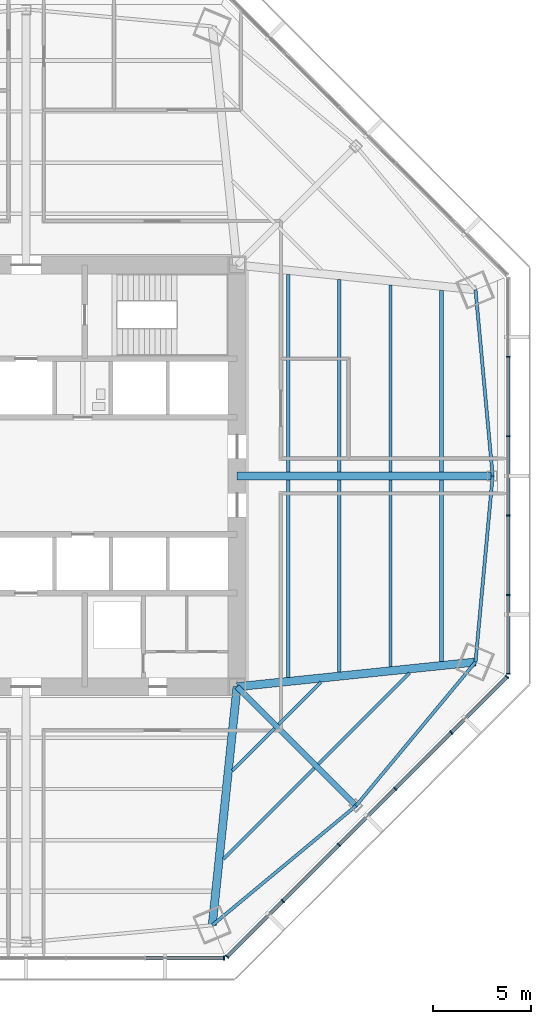
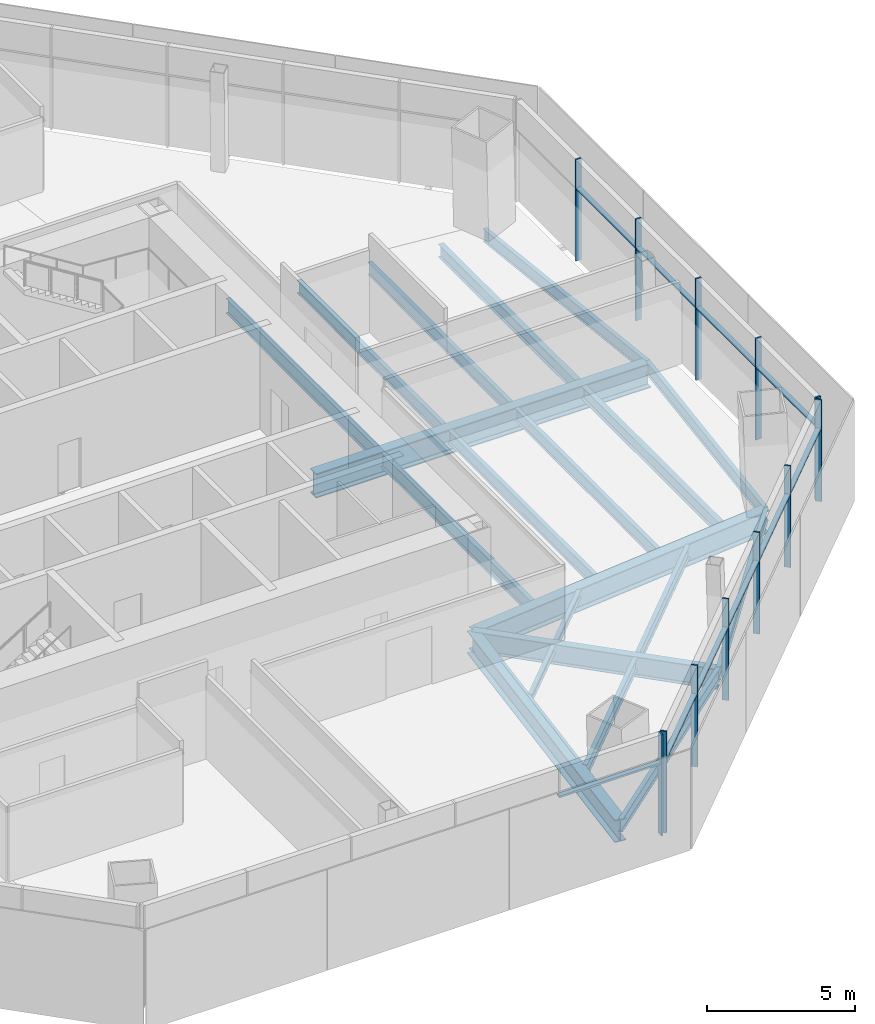
# One storey, part 4 of 14: 22 members, 20 beams, 3 elements without a shape of their own.
"""IFC4 building model written with IfcOpenShell, lengths in metres."""

from ifc_helpers import new_model, si_unit, direction, frame, origin, origin_2d, place, context, subcontext, project, spatial, rectangle, i_section, extrude, source, transform, mapped, material, material_profile, profile_set, type_object, type_shapes, element, aggregate, save


model = new_model("IFC4")

# Units and contexts
model_context = context("Model", 3, precision=1e-05, world=origin(), true_north=direction((0.0, 1.0)))
body_context = subcontext(model_context, "Body", "Model", "MODEL_VIEW")
ifc_project = project(units=[si_unit("LENGTHUNIT", "METRE"), si_unit("AREAUNIT", "SQUARE_METRE"), si_unit("VOLUMEUNIT", "CUBIC_METRE"), si_unit("PLANEANGLEUNIT", "RADIAN"), si_unit("MASSUNIT", "GRAM", prefix="KILO")], contexts=[model_context])

# Site, building, storey
site_placement = place(None, origin())
site = spatial("IfcSite", under=ifc_project, at=site_placement, CompositionType="ELEMENT")
building_placement = place(site_placement, origin())
building = spatial("IfcBuilding", under=site, at=building_placement, Name="Mashrafa Tower", CompositionType="ELEMENT")
storey_placement = place(building_placement, frame((0.0, 0.0, 117.60009765625)))
storey = spatial("IfcBuildingStorey", under=building, at=storey_placement, Name="L26", CompositionType="ELEMENT", Elevation=117.60009765625)

# Beams
ifc_material_1 = material(Name="Steel ASTM A992", Category="steel")
ifc_material_profile_1 = material_profile(ifc_material_1, i_section(OverallWidth=0.164794921875, OverallDepth=0.309814453125, WebThickness=0.005859375, FlangeThickness=0.009765625, FilletRadius=0.007568359375, at=origin_2d()), Name="W12X26")
ifc_profile_set_1 = profile_set([ifc_material_profile_1], Name="Steel ASTM A992")
beam_type_1 = type_object("IfcBeamType", Name="Beam W12X26", PredefinedType="BEAM", material=ifc_profile_set_1)
for number, where, z_axis, x_axis, name in (
    (1, (12.728271484375, -12.934814453125, -0.320068359375), (-0.707106781187, -0.707106781187, 0.0), (0.707106781187, -0.707106781187, 0.0), "Floor beam L26 035"),
    (2, (15.098388671875, -10.564697265625, -0.320068359375), (-0.707106781187, -0.707106781187, 0.0), (0.707106781187, -0.707106781187, 0.0), "Floor beam L26 041"),
):
    element("IfcBeam", number, at=place(storey_placement, frame(where, z_axis=z_axis, x_axis=x_axis)), inside=storey, type_object=beam_type_1, Name=name, PredefinedType="BEAM", context=body_context, shape_type="SweptSolid", body=[
        extrude(i_section(OverallWidth=0.164794921875, OverallDepth=0.309814453125, WebThickness=0.005859375, FlangeThickness=0.009765625, FilletRadius=0.007568359375, at=origin_2d()), origin(), (0.0, 0.0, 1.0), 3.059814453125),
    ])
ifc_material_2 = material(Name="Steel ASTM A992", Category="steel")
ifc_material_profile_2 = material_profile(ifc_material_2, i_section(OverallWidth=0.1650390625, OverallDepth=0.52587890625, WebThickness=0.0087890625, FlangeThickness=0.011474609375, FilletRadius=0.0126953125, at=origin_2d()), Name="W21X44")
ifc_profile_set_2 = profile_set([ifc_material_profile_2], Name="Steel ASTM A992")
beam_type_2 = type_object("IfcBeamType", Name="Beam W21X44", PredefinedType="BEAM", material=ifc_profile_set_2)
beam_1_placement = place(storey_placement, frame((14.759765625, -14.96630859375, -0.427978515625), z_axis=(-0.707106781187, -0.707106781187, 0.0), x_axis=(0.707106781187, -0.707106781187, 0.0)))
element("IfcBeam", 3, at=beam_1_placement, inside=storey, type_object=beam_type_2, Name="Floor beam L26 039", PredefinedType="BEAM", context=body_context, shape_type="SweptSolid", body=[
    extrude(i_section(OverallWidth=0.1650390625, OverallDepth=0.52587890625, WebThickness=0.0087890625, FlangeThickness=0.011474609375, FilletRadius=0.0126953125, at=origin_2d()), origin(), (0.0, 0.0, 1.0), 6.59765625),
])
for number, where, z_axis, x_axis, name in (
    (4, (16.037109375, -0.20068359375, -0.427978515625), (0.0, -1.0, 0.0), (1.0, 0.0, 0.0), "Floor beam L26 042"),
    (5, (16.037109375, 10.0458984375, -0.427978515625), (0.0, -1.0, 0.0), (1.0, 0.0, 0.0), "Floor beam L26 043"),
):
    element("IfcBeam", number, at=place(storey_placement, frame(where, z_axis=z_axis, x_axis=x_axis)), inside=storey, type_object=beam_type_2, Name=name, PredefinedType="BEAM", context=body_context, shape_type="SweptSolid", body=[
        extrude(i_section(OverallWidth=0.1650390625, OverallDepth=0.52587890625, WebThickness=0.0087890625, FlangeThickness=0.011474609375, FilletRadius=0.0126953125, at=origin_2d()), origin(), (0.0, 0.0, 1.0), 9.84521484375),
    ])
for number, where, z_axis, x_axis, name in (
    (6, (18.655517578125, -0.20068359375, -0.427978515625), (0.0, -1.0, 0.0), (1.0, 0.0, 0.0), "Floor beam L26 044"),
    (7, (18.655517578125, 9.7744140625, -0.427978515625), (0.0, -1.0, 0.0), (1.0, 0.0, 0.0), "Floor beam L26 045"),
):
    element("IfcBeam", number, at=place(storey_placement, frame(where, z_axis=z_axis, x_axis=x_axis)), inside=storey, type_object=beam_type_2, Name=name, PredefinedType="BEAM", context=body_context, shape_type="SweptSolid", body=[
        extrude(i_section(OverallWidth=0.1650390625, OverallDepth=0.52587890625, WebThickness=0.0087890625, FlangeThickness=0.011474609375, FilletRadius=0.0126953125, at=origin_2d()), origin(), (0.0, 0.0, 1.0), 9.57373046875),
    ])
beam_2_placement = place(storey_placement, frame((19.631591796875, -10.094482421875, -0.427978515625), z_axis=(-0.707106781187, -0.707106781187, 0.0), x_axis=(0.707106781187, -0.707106781187, 0.0)))
element("IfcBeam", 8, at=beam_2_placement, inside=storey, type_object=beam_type_2, Name="Floor beam L26 046", PredefinedType="BEAM", context=body_context, shape_type="SweptSolid", body=[
    extrude(i_section(OverallWidth=0.1650390625, OverallDepth=0.52587890625, WebThickness=0.0087890625, FlangeThickness=0.011474609375, FilletRadius=0.0126953125, at=origin_2d()), origin(), (0.0, 0.0, 1.0), 6.59765625),
])
for number, where, z_axis, x_axis, name in (
    (9, (9.532958984375, -23.014404296875, -0.427978515625), (0.769002504827, 0.639245764608, 0.0), (-0.639245764608, 0.769002504827, 0.0), "Spandrel beam L26 074"),
    (10, (16.894775390625, -16.894775390625, -0.427978515625), (0.639245764608, 0.769002504827, 0.0), (-0.769002504827, 0.639245764608, 0.0), "Spandrel beam L26 076"),
    (11, (23.014404296875, -9.532958984375, -0.427978515625), (0.091731356973, 0.995783790864, 0.0), (-0.995783790864, 0.091731356973, 0.0), "Spandrel beam L26 078"),
    (12, (23.892578125, 0.0, -0.427978515625), (-0.091731356973, 0.995783790864, 0.0), (-0.995783790864, -0.091731356973, 0.0), "Spandrel beam L26 080"),
):
    element("IfcBeam", number, at=place(storey_placement, frame(where, z_axis=z_axis, x_axis=x_axis)), inside=storey, type_object=beam_type_2, Name=name, PredefinedType="BEAM", context=body_context, shape_type="SweptSolid", body=[
        extrude(i_section(OverallWidth=0.1650390625, OverallDepth=0.52587890625, WebThickness=0.0087890625, FlangeThickness=0.011474609375, FilletRadius=0.0126953125, at=origin_2d()), origin(), (0.0, 0.0, 1.0), 9.5732421875),
    ])
ifc_material_3 = material(Name="Steel ASTM A992", Category="steel")
ifc_material_profile_3 = material_profile(ifc_material_3, i_section(OverallWidth=0.209228515625, OverallDepth=0.533447265625, WebThickness=0.01025390625, FlangeThickness=0.015625, FilletRadius=0.012939453125, at=origin_2d()), Name="W21X62")
ifc_profile_set_3 = profile_set([ifc_material_profile_3], Name="Steel ASTM A992")
beam_type_3 = type_object("IfcBeamType", Name="Beam W21X62", PredefinedType="BEAM", material=ifc_profile_set_3)
for number, where, z_axis, x_axis, name in (
    (13, (21.274169921875, -0.20068359375, -0.431884765625), (0.0, -1.0, 0.0), (1.0, 0.0, 0.0), "Floor beam L26 047"),
    (14, (21.274169921875, 9.502685546875, -0.431884765625), (0.0, -1.0, 0.0), (1.0, 0.0, 0.0), "Floor beam L26 048"),
):
    element("IfcBeam", number, at=place(storey_placement, frame(where, z_axis=z_axis, x_axis=x_axis)), inside=storey, type_object=beam_type_3, Name=name, PredefinedType="BEAM", context=body_context, shape_type="SweptSolid", body=[
        extrude(i_section(OverallWidth=0.209228515625, OverallDepth=0.533447265625, WebThickness=0.01025390625, FlangeThickness=0.015625, FilletRadius=0.012939453125, at=origin_2d()), origin(), (0.0, 0.0, 1.0), 9.302001953125),
    ])
ifc_material_4 = material(Name="Steel ASTM A992", Category="steel")
ifc_material_profile_4 = material_profile(ifc_material_4, i_section(OverallWidth=0.177978515625, OverallDepth=0.599365234375, WebThickness=0.010009765625, FlangeThickness=0.012939453125, FilletRadius=0.012939453125, at=origin_2d()), Name="W24X55")
ifc_profile_set_4 = profile_set([ifc_material_profile_4], Name="Steel ASTM A992")
beam_type_4 = type_object("IfcBeamType", Name="Beam W24X55", PredefinedType="BEAM", material=ifc_profile_set_4)
for number, where, z_axis, x_axis, name in (
    (15, (13.41845703125, -0.20068359375, -0.46484375), (0.0, -1.0, 0.0), (1.0, 0.0, 0.0), "Floor beam L26 037"),
    (16, (13.41845703125, 10.317626953125, -0.46484375), (0.0, -1.0, 0.0), (1.0, 0.0, 0.0), "Floor beam L26 038"),
):
    element("IfcBeam", number, at=place(storey_placement, frame(where, z_axis=z_axis, x_axis=x_axis)), inside=storey, type_object=beam_type_4, Name=name, PredefinedType="BEAM", context=body_context, shape_type="SweptSolid", body=[
        extrude(i_section(OverallWidth=0.177978515625, OverallDepth=0.599365234375, WebThickness=0.010009765625, FlangeThickness=0.012939453125, FilletRadius=0.012939453125, at=origin_2d()), origin(), (0.0, 0.0, 1.0), 10.116943359375),
    ])
ifc_material_5 = material(Name="Steel ASTM A992", Category="steel")
ifc_material_profile_5 = material_profile(ifc_material_5, i_section(OverallWidth=0.2919921875, OverallDepth=0.8408203125, WebThickness=0.0146484375, FlangeThickness=0.021728515625, FilletRadius=0.017333984375, at=origin_2d()), Name="W33X130")
ifc_profile_set_5 = profile_set([ifc_material_profile_5], Name="Steel ASTM A992")
beam_type_5 = type_object("IfcBeamType", Name="Beam W33X130", PredefinedType="BEAM", material=ifc_profile_set_5)
beam_3_placement = place(storey_placement, frame((10.800048828125, -10.800048828125, -0.58544921875), z_axis=(0.707106781187, -0.707106781187, 0.0), x_axis=(0.707106781187, 0.707106781187, 0.0)))
element("IfcBeam", 17, at=beam_3_placement, inside=storey, type_object=beam_type_5, Name="Radial girder L26 059", PredefinedType="BEAM", context=body_context, shape_type="SweptSolid", body=[
    extrude(i_section(OverallWidth=0.2919921875, OverallDepth=0.8408203125, WebThickness=0.0146484375, FlangeThickness=0.021728515625, FilletRadius=0.017333984375, at=origin_2d()), origin(), (0.0, 0.0, 1.0), 8.619140625),
])
ifc_material_6 = material(Name="Steel ASTM A992", Category="steel")
ifc_material_profile_6 = material_profile(ifc_material_6, i_section(OverallWidth=0.419189453125, OverallDepth=0.927001953125, WebThickness=0.019287109375, FlangeThickness=0.031982421875, FilletRadius=0.020263671875, at=origin_2d()), Name="W36X231")
ifc_profile_set_6 = profile_set([ifc_material_profile_6], Name="Steel ASTM A992")
beam_type_6 = type_object("IfcBeamType", Name="Beam W36X231", PredefinedType="BEAM", material=ifc_profile_set_6)
for number, where, z_axis, x_axis, name in (
    (18, (10.800048828125, -10.800048828125, -0.628662109375), (-0.103184034441, -0.994662281901, 0.0), (0.994662281901, -0.103184034441, 0.0), "Radial girder L26 058"),
    (19, (10.800048828125, -10.800048828125, -0.628662109375), (0.994662281901, 0.103184034441, 0.0), (-0.103184034441, 0.994662281901, 0.0), "Radial girder L26 060"),
):
    element("IfcBeam", number, at=place(storey_placement, frame(where, z_axis=z_axis, x_axis=x_axis)), inside=storey, type_object=beam_type_6, Name=name, PredefinedType="BEAM", context=body_context, shape_type="SweptSolid", body=[
        extrude(i_section(OverallWidth=0.419189453125, OverallDepth=0.927001953125, WebThickness=0.019287109375, FlangeThickness=0.031982421875, FilletRadius=0.020263671875, at=origin_2d()), origin(), (0.0, 0.0, 1.0), 12.27978515625),
    ])
ifc_material_7 = material(Name="Steel ASTM A992", Category="steel")
ifc_material_profile_7 = material_profile(ifc_material_7, i_section(OverallWidth=0.4013671875, OverallDepth=1.010986328125, WebThickness=0.023681640625, FlangeThickness=0.0419921875, FilletRadius=0.02001953125, at=origin_2d()), Name="W40X297")
ifc_profile_set_7 = profile_set([ifc_material_profile_7], Name="Steel ASTM A992")
beam_type_7 = type_object("IfcBeamType", Name="Beam W40X297", PredefinedType="BEAM", material=ifc_profile_set_7)
beam_4_placement = place(storey_placement, frame((10.800048828125, 0.0, -0.670654296875), z_axis=(1.0, 0.0, 0.0), x_axis=(0.0, 1.0, 0.0)))
element("IfcBeam", 20, at=beam_4_placement, inside=storey, type_object=beam_type_7, Name="Radial girder L26 061", PredefinedType="BEAM", context=body_context, shape_type="SweptSolid", body=[
    extrude(i_section(OverallWidth=0.4013671875, OverallDepth=1.010986328125, WebThickness=0.023681640625, FlangeThickness=0.0419921875, FilletRadius=0.02001953125, at=origin_2d()), origin(), (0.0, 0.0, 1.0), 13.092529296875),
])

# Curtain wall, members
ifc_material_8 = material(Name="Unitised aluminium curtain wall", Category="aluminium")
curtain_wall_type = type_object("IfcCurtainWallType", Name="Office curtain wall, zone 2 CW-B 225 deep", PredefinedType="NOTDEFINED", material=ifc_material_8)
curtain_wall_1_placement = place(storey_placement, origin())
curtain_wall_1 = element("IfcCurtainWall", 21, at=curtain_wall_1_placement, inside=storey, type_object=curtain_wall_type, Name="Office curtain wall, zone 2 L26 east", PredefinedType="NOTDEFINED")
ifc_material_9 = material(Name="Extruded aluminium mullion", Category="aluminium")
ifc_material_profile_8 = material_profile(ifc_material_9, rectangle(XDim=0.22509765625, YDim=0.06494140625, at=origin_2d()), Name="Mullion 65x225")
ifc_profile_set_8 = profile_set([ifc_material_profile_8], Name="Extruded aluminium mullion")
member_type_1 = type_object("IfcMemberType", Name="Mullion CW-B 65 x 225", PredefinedType="MULLION", material=ifc_profile_set_8)
shared_shape_1 = source(origin(), body_context, "Body", "SweptSolid", [
    extrude(rectangle(XDim=0.22509765625, YDim=0.06494140625, at=origin_2d()), origin(), (0.0, 0.0, 1.0), 4.199951171875),
])
type_shapes(member_type_1, [shared_shape_1])
member_1_placement = place(storey_placement, frame((24.68798828125, -10.136962890625, 0.0), z_axis=(0.0, 0.0, 1.0), x_axis=(-1.0, 0.0, 0.0)))
member_1 = element("IfcMember", 22, at=member_1_placement, type_object=member_type_1, Name="CW-B mullion 1", PredefinedType="MULLION", context=body_context, shape_type="MappedRepresentation", body=[
    mapped(shared_shape_1, transform((0.0, 0.0, 0.0))),
])
member_2_placement = place(storey_placement, frame((24.68798828125, -6.101806640625, 0.0), z_axis=(0.0, 0.0, 1.0), x_axis=(-1.0, 0.0, 0.0)))
member_2 = element("IfcMember", 23, at=member_2_placement, type_object=member_type_1, Name="CW-B mullion 2", PredefinedType="MULLION", context=body_context, shape_type="MappedRepresentation", body=[
    mapped(shared_shape_1, transform((0.0, 0.0, 0.0))),
])
member_3_placement = place(storey_placement, frame((24.68798828125, -2.033935546875, 0.0), z_axis=(0.0, 0.0, 1.0), x_axis=(-1.0, 0.0, 0.0)))
member_3 = element("IfcMember", 24, at=member_3_placement, type_object=member_type_1, Name="CW-B mullion 3", PredefinedType="MULLION", context=body_context, shape_type="MappedRepresentation", body=[
    mapped(shared_shape_1, transform((0.0, 0.0, 0.0))),
])
member_4_placement = place(storey_placement, frame((24.68798828125, 2.033935546875, 0.0), z_axis=(0.0, 0.0, 1.0), x_axis=(-1.0, 0.0, 0.0)))
member_4 = element("IfcMember", 25, at=member_4_placement, type_object=member_type_1, Name="CW-B mullion 4", PredefinedType="MULLION", context=body_context, shape_type="MappedRepresentation", body=[
    mapped(shared_shape_1, transform((0.0, 0.0, 0.0))),
])
member_5_placement = place(storey_placement, frame((24.68798828125, 6.101806640625, 0.0), z_axis=(0.0, 0.0, 1.0), x_axis=(-1.0, 0.0, 0.0)))
member_5 = element("IfcMember", 26, at=member_5_placement, type_object=member_type_1, Name="CW-B mullion 5", PredefinedType="MULLION", context=body_context, shape_type="MappedRepresentation", body=[
    mapped(shared_shape_1, transform((0.0, 0.0, 0.0))),
])

# Curtain wall, member
curtain_wall_2_placement = place(storey_placement, origin())
curtain_wall_2 = element("IfcCurtainWall", 27, at=curtain_wall_2_placement, inside=storey, type_object=curtain_wall_type, Name="Office curtain wall, zone 2 L26 south", PredefinedType="NOTDEFINED")
member_6_placement = place(storey_placement, frame((10.136962890625, -24.68798828125, 0.0), z_axis=(0.0, 0.0, 1.0), x_axis=(0.0, 1.0, 0.0)))
member_6 = element("IfcMember", 28, at=member_6_placement, type_object=member_type_1, Name="CW-B mullion 6", PredefinedType="MULLION", context=body_context, shape_type="MappedRepresentation", body=[
    mapped(shared_shape_1, transform((0.0, 0.0, 0.0))),
])

# Curtain wall, members
curtain_wall_3_placement = place(storey_placement, origin())
curtain_wall_3 = element("IfcCurtainWall", 29, at=curtain_wall_3_placement, inside=storey, type_object=curtain_wall_type, Name="Office curtain wall, zone 2 L26 south-east", PredefinedType="NOTDEFINED")
member_7_placement = place(storey_placement, frame((10.2890625, -24.625, 0.0), z_axis=(0.0, 0.0, 1.0), x_axis=(-0.707106781187, 0.707106781187, 0.0)))
member_7 = element("IfcMember", 30, at=member_7_placement, type_object=member_type_1, Name="CW-B mullion 1", PredefinedType="MULLION", context=body_context, shape_type="MappedRepresentation", body=[
    mapped(shared_shape_1, transform((0.0, 0.0, 0.0))),
])
member_8_placement = place(storey_placement, frame((13.142578125, -21.771484375, 0.0), z_axis=(0.0, 0.0, 1.0), x_axis=(-0.707106781187, 0.707106781187, 0.0)))
member_8 = element("IfcMember", 31, at=member_8_placement, type_object=member_type_1, Name="CW-B mullion 2", PredefinedType="MULLION", context=body_context, shape_type="MappedRepresentation", body=[
    mapped(shared_shape_1, transform((0.0, 0.0, 0.0))),
])
member_9_placement = place(storey_placement, frame((16.018798828125, -18.895263671875, 0.0), z_axis=(0.0, 0.0, 1.0), x_axis=(-0.707106781187, 0.707106781187, 0.0)))
member_9 = element("IfcMember", 32, at=member_9_placement, type_object=member_type_1, Name="CW-B mullion 3", PredefinedType="MULLION", context=body_context, shape_type="MappedRepresentation", body=[
    mapped(shared_shape_1, transform((0.0, 0.0, 0.0))),
])
member_10_placement = place(storey_placement, frame((18.895263671875, -16.018798828125, 0.0), z_axis=(0.0, 0.0, 1.0), x_axis=(-0.707106781187, 0.707106781187, 0.0)))
member_10 = element("IfcMember", 33, at=member_10_placement, type_object=member_type_1, Name="CW-B mullion 4", PredefinedType="MULLION", context=body_context, shape_type="MappedRepresentation", body=[
    mapped(shared_shape_1, transform((0.0, 0.0, 0.0))),
])
member_11_placement = place(storey_placement, frame((21.771484375, -13.142578125, 0.0), z_axis=(0.0, 0.0, 1.0), x_axis=(-0.707106781187, 0.707106781187, 0.0)))
member_11 = element("IfcMember", 34, at=member_11_placement, type_object=member_type_1, Name="CW-B mullion 5", PredefinedType="MULLION", context=body_context, shape_type="MappedRepresentation", body=[
    mapped(shared_shape_1, transform((0.0, 0.0, 0.0))),
])
member_12_placement = place(storey_placement, frame((24.625, -10.2890625, 0.0), z_axis=(0.0, 0.0, 1.0), x_axis=(-0.707106781187, 0.707106781187, 0.0)))
member_12 = element("IfcMember", 35, at=member_12_placement, type_object=member_type_1, Name="CW-B mullion 6", PredefinedType="MULLION", context=body_context, shape_type="MappedRepresentation", body=[
    mapped(shared_shape_1, transform((0.0, 0.0, 0.0))),
])

# Member
ifc_material_10 = material(Name="Extruded aluminium transom", Category="aluminium")
ifc_material_profile_9 = material_profile(ifc_material_10, rectangle(XDim=0.179931640625, YDim=0.080078125, at=origin_2d()), Name="Transom 80x180")
ifc_profile_set_9 = profile_set([ifc_material_profile_9], Name="Extruded aluminium transom")
member_type_2 = type_object("IfcMemberType", Name="Transom CW-B 80 x 180", PredefinedType="MULLION", material=ifc_profile_set_9)
shared_shape_2 = source(origin(), body_context, "Body", "SweptSolid", [
    extrude(rectangle(XDim=0.179931640625, YDim=0.080078125, at=origin_2d()), origin(), (0.0, 0.0, 1.0), 3.97021484375),
])
member_13_placement = place(storey_placement, frame((24.68798828125, -10.1044921875, 3.0), z_axis=(0.0, 1.0, 0.0), x_axis=(-1.0, 0.0, 0.0)))
member_13 = element("IfcMember", 36, at=member_13_placement, type_object=member_type_2, Name="CW-B transom 1", PredefinedType="MULLION", context=body_context, shape_type="MappedRepresentation", body=[
    mapped(shared_shape_2, transform((0.0, 0.0, 0.0))),
])

member_14_placement = place(storey_placement, frame((6.13427734375, -24.68798828125, 3.0), z_axis=(1.0, 0.0, 0.0), x_axis=(0.0, 1.0, 0.0)))
member_14 = element("IfcMember", 37, at=member_14_placement, type_object=member_type_2, Name="CW-B transom 5", PredefinedType="MULLION", context=body_context, shape_type="MappedRepresentation", body=[
    mapped(shared_shape_2, transform((0.0, 0.0, 0.0))),
])

aggregate(curtain_wall_2, [member_6, member_14])

member_15_placement = place(storey_placement, frame((10.31201171875, -24.60205078125, 3.0), z_axis=(0.707106781187, 0.707106781187, 0.0), x_axis=(-0.707106781187, 0.707106781187, 0.0)))
member_15 = element("IfcMember", 38, at=member_15_placement, type_object=member_type_2, Name="CW-B transom 1", PredefinedType="MULLION", context=body_context, shape_type="MappedRepresentation", body=[
    mapped(shared_shape_2, transform((0.0, 0.0, 0.0))),
])

member_16_placement = place(storey_placement, frame((21.794677734375, -13.119384765625, 3.0), z_axis=(0.707106781187, 0.707106781187, 0.0), x_axis=(-0.707106781187, 0.707106781187, 0.0)))
member_16 = element("IfcMember", 39, at=member_16_placement, type_object=member_type_2, Name="CW-B transom 5", PredefinedType="MULLION", context=body_context, shape_type="MappedRepresentation", body=[
    mapped(shared_shape_2, transform((0.0, 0.0, 0.0))),
])

shared_shape_3 = source(origin(), body_context, "Body", "SweptSolid", [
    extrude(rectangle(XDim=0.179931640625, YDim=0.080078125, at=origin_2d()), origin(), (0.0, 0.0, 1.0), 4.002685546875),
])
member_17_placement = place(storey_placement, frame((24.68798828125, -6.069091796875, 3.0), z_axis=(0.0, 1.0, 0.0), x_axis=(-1.0, 0.0, 0.0)))
member_17 = element("IfcMember", 40, at=member_17_placement, type_object=member_type_2, Name="CW-B transom 2", PredefinedType="MULLION", context=body_context, shape_type="MappedRepresentation", body=[
    mapped(shared_shape_3, transform((0.0, 0.0, 0.0))),
])

member_18_placement = place(storey_placement, frame((24.68798828125, 2.06640625, 3.0), z_axis=(0.0, 1.0, 0.0), x_axis=(-1.0, 0.0, 0.0)))
member_18 = element("IfcMember", 41, at=member_18_placement, type_object=member_type_2, Name="CW-B transom 4", PredefinedType="MULLION", context=body_context, shape_type="MappedRepresentation", body=[
    mapped(shared_shape_3, transform((0.0, 0.0, 0.0))),
])

member_19_placement = place(storey_placement, frame((13.16552734375, -21.74853515625, 3.0), z_axis=(0.707106781187, 0.707106781187, 0.0), x_axis=(-0.707106781187, 0.707106781187, 0.0)))
member_19 = element("IfcMember", 42, at=member_19_placement, type_object=member_type_2, Name="CW-B transom 2", PredefinedType="MULLION", context=body_context, shape_type="MappedRepresentation", body=[
    mapped(shared_shape_3, transform((0.0, 0.0, 0.0))),
])

member_20_placement = place(storey_placement, frame((18.918212890625, -15.995849609375, 3.0), z_axis=(0.707106781187, 0.707106781187, 0.0), x_axis=(-0.707106781187, 0.707106781187, 0.0)))
member_20 = element("IfcMember", 43, at=member_20_placement, type_object=member_type_2, Name="CW-B transom 4", PredefinedType="MULLION", context=body_context, shape_type="MappedRepresentation", body=[
    mapped(shared_shape_3, transform((0.0, 0.0, 0.0))),
])

shared_shape_4 = source(origin(), body_context, "Body", "SweptSolid", [
    extrude(rectangle(XDim=0.179931640625, YDim=0.080078125, at=origin_2d()), origin(), (0.0, 0.0, 1.0), 4.0029296875),
])
type_shapes(member_type_2, [shared_shape_2, shared_shape_3, shared_shape_4])
member_21_placement = place(storey_placement, frame((24.68798828125, -2.00146484375, 3.0), z_axis=(0.0, 1.0, 0.0), x_axis=(-1.0, 0.0, 0.0)))
member_21 = element("IfcMember", 44, at=member_21_placement, type_object=member_type_2, Name="CW-B transom 3", PredefinedType="MULLION", context=body_context, shape_type="MappedRepresentation", body=[
    mapped(shared_shape_4, transform((0.0, 0.0, 0.0))),
])

aggregate(curtain_wall_1, [member_1, member_2, member_3, member_4, member_5, member_13, member_17, member_21, member_18])

member_22_placement = place(storey_placement, frame((16.041748046875, -18.872314453125, 3.0), z_axis=(0.707106781187, 0.707106781187, 0.0), x_axis=(-0.707106781187, 0.707106781187, 0.0)))
member_22 = element("IfcMember", 45, at=member_22_placement, type_object=member_type_2, Name="CW-B transom 3", PredefinedType="MULLION", context=body_context, shape_type="MappedRepresentation", body=[
    mapped(shared_shape_4, transform((0.0, 0.0, 0.0))),
])

aggregate(curtain_wall_3, [member_7, member_8, member_9, member_10, member_11, member_12, member_15, member_19, member_22, member_20, member_16])

save(model, "model.ifc")
